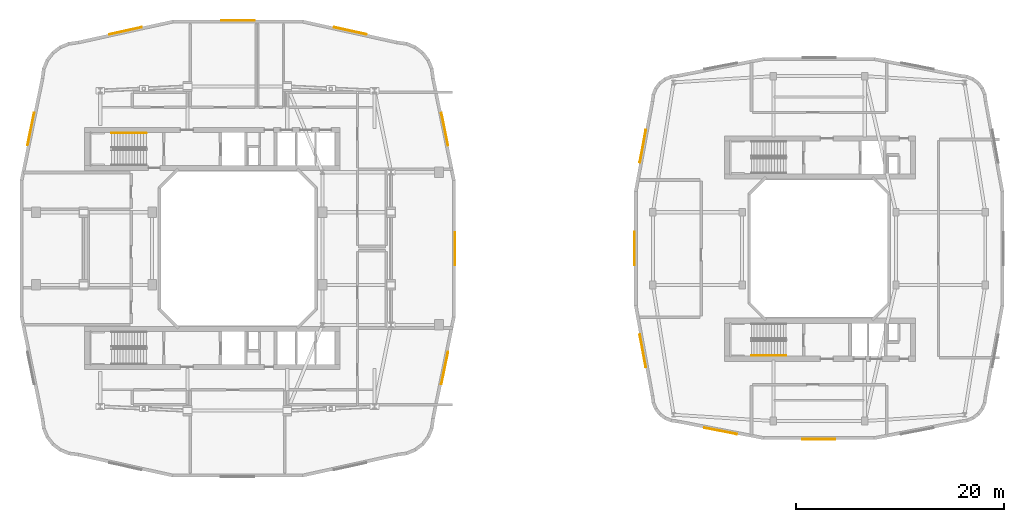
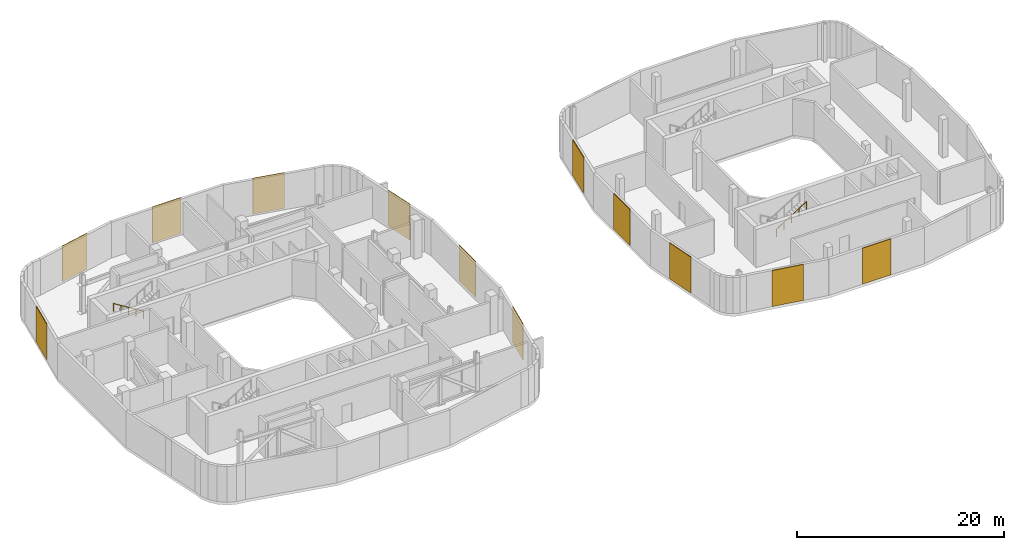
# One storey, part 16 of 18: 12 coverings, 2 railings.
"""IFC4 building model written with IfcOpenShell, lengths in metres."""

from ifc_helpers import new_model, si_unit, derived_unit, direction, frame, origin, origin_2d, place, context, subcontext, project, spatial, rectangle, circle, extrude, material, layer, layer_set, type_object, element, save


model = new_model("IFC4")

# Units and contexts
model_context = context("Model", 3, precision=1e-05, world=origin(), true_north=direction((0.0, 1.0)))
body_context = subcontext(model_context, "Body", "Model", "MODEL_VIEW")
ifc_project = project(units=[si_unit("LENGTHUNIT", "METRE"), si_unit("AREAUNIT", "SQUARE_METRE"), si_unit("VOLUMEUNIT", "CUBIC_METRE"), si_unit("PLANEANGLEUNIT", "RADIAN"), si_unit("MASSUNIT", "GRAM", prefix="KILO"), derived_unit("THERMALTRANSMITTANCEUNIT", [(si_unit("POWERUNIT", "WATT"), 1), (si_unit("LENGTHUNIT", "METRE"), -2), (si_unit("THERMODYNAMICTEMPERATUREUNIT", "KELVIN"), -1)])], contexts=[model_context])

# Site, building, storey
site_placement = place(None, origin())
site = spatial("IfcSite", under=ifc_project, at=site_placement, CompositionType="ELEMENT")
building_placement = place(site_placement, origin())
building = spatial("IfcBuilding", under=site, at=building_placement, Name="Kivonza Crest Hotel", CompositionType="ELEMENT")
storey_placement = place(building_placement, frame((0.0, 0.0, 90.5)))
storey = spatial("IfcBuildingStorey", under=building, at=storey_placement, Name="L24", CompositionType="ELEMENT", Elevation=90.5)

# Coverings
ifc_material_1 = material(Name="Anodised bronze aluminium acoustic louvre cladding", Category="aluminium")
ifc_layer = layer(ifc_material_1, 0.080078125)
ifc_layer_set = layer_set([ifc_layer], Name="Anodised bronze aluminium acoustic louvre cladding")
covering_type = type_object("IfcCoveringType", Name="CV-CLAD-80", PredefinedType="CLADDING", material=ifc_layer_set)
for number, where, z_axis, x_axis, name in (
    (1, (40.958984375, 13.4990234375, 0.0), (0.0, 0.0, 1.0), (0.19988099444, 0.979820181493, 0.0), "L24 T1 terracotta baguette and louvre screen 16"),
    (2, (41.9599609375, 24.98291015625, 0.0), (0.0, 0.0, 1.0), (0.0, 1.0, 0.0), "L24 T1 terracotta baguette and louvre screen 17"),
    (3, (40.9619140625, 36.48388671875, 0.0), (0.0, 0.0, 1.0), (-0.19988099444, 0.979820181493, 0.0), "L24 T1 terracotta baguette and louvre screen 18"),
    (4, (31.864013671875, 45.958984375, 0.0), (0.0, 0.0, 1.0), (-0.976559709305, 0.215246682117, 0.0), "L24 T1 terracotta baguette and louvre screen 25"),
    (5, (21.05810546875, 46.9599609375, 0.0), (0.0, 0.0, 1.0), (-1.0, 0.0, 0.0), "L24 T1 terracotta baguette and louvre screen 26"),
    (6, (10.23291015625, 45.9619140625, 0.0), (0.0, 0.0, 1.0), (-0.976559709305, -0.215246682117, 0.0), "L24 T1 terracotta baguette and louvre screen 27"),
    (7, (1.12109375, 36.5009765625, 0.0), (0.0, 0.0, 1.0), (-0.19988099444, -0.979820181493, 0.0), "L24 T1 terracotta baguette and louvre screen 34"),
):
    element("IfcCovering", number, at=place(storey_placement, frame(where, z_axis=z_axis, x_axis=x_axis)), inside=storey, type_object=covering_type, Name=name, PredefinedType="CLADDING", context=body_context, shape_type="SweptSolid", body=[
        extrude(rectangle(XDim=3.199951171875, YDim=0.080078125, at=origin_2d()), origin(), (0.0, 0.0, 1.0), 4.219970703125),
    ])
for number, where, z_axis, x_axis, name in (
    (8, (67.529052734375, 7.44091796875, 0.0), (0.0, 0.0, 1.0), (0.981760154029, -0.190123643878, 0.0), "L24 T2 terracotta baguette and louvre screen 7"),
    (9, (76.98291015625, 6.639892578125, 0.0), (0.0, 0.0, 1.0), (1.0, 0.0, 0.0), "L24 T2 terracotta baguette and louvre screen 8"),
    (10, (60.041015625, 34.862060546875, 0.0), (0.0, 0.0, 1.0), (-0.181205763627, -0.983445204995, 0.0), "L24 T2 terracotta baguette and louvre screen 34"),
    (11, (59.239990234375, 25.01708984375, 0.0), (0.0, 0.0, 1.0), (0.0, -1.0, 0.0), "L24 T2 terracotta baguette and louvre screen 35"),
    (12, (60.037109375, 15.156005859375, 0.0), (0.0, 0.0, 1.0), (0.181205763627, -0.983445204995, 0.0), "L24 T2 terracotta baguette and louvre screen 36"),
):
    element("IfcCovering", number, at=place(storey_placement, frame(where, z_axis=z_axis, x_axis=x_axis)), inside=storey, type_object=covering_type, Name=name, PredefinedType="CLADDING", context=body_context, shape_type="SweptSolid", body=[
        extrude(rectangle(XDim=3.199951171875, YDim=0.080078125, at=origin_2d()), origin(), (0.0, 0.0, 1.0), 4.25),
    ])

# Railings
ifc_material_2 = material(Name="Brushed stainless steel handrail", Category="steel")
railing_type = type_object("IfcRailingType", Name="RL-HAND-900", PredefinedType="HANDRAIL", material=ifc_material_2)
railing_1_placement = place(storey_placement, frame((12.239990234375, 36.110107421875, 0.173095703125)))
element("IfcRailing", 13, at=railing_1_placement, inside=storey, type_object=railing_type, Name="L24 ST-T1-N stair handrail 1", PredefinedType="HANDRAIL", context=body_context, shape_type="SweptSolid", body=[
    extrude(circle(Radius=0.02392578125, at=origin_2d()), frame((0.0, 0.0, 0.8759765625), z_axis=(-0.850623216509, 0.0, 0.525775754039), x_axis=(0.0, -1.0, 0.0)), (0.0, 0.0, 1.0), 3.9501953125),
    extrude(circle(Radius=0.02099609375, at=origin_2d()), origin(), (0.0, 0.0, 1.0), 0.851806640625),
    extrude(circle(Radius=0.02099609375, at=origin_2d()), frame((-0.840087890625, 0.0, 0.519287109375)), (0.0, 0.0, 1.0), 0.851806640625),
    extrude(circle(Radius=0.02099609375, at=origin_2d()), frame((-1.68017578125, 0.0, 1.03857421875)), (0.0, 0.0, 1.0), 0.851806640625),
    extrude(circle(Radius=0.02099609375, at=origin_2d()), frame((-2.52001953125, 0.0, 1.5576171875)), (0.0, 0.0, 1.0), 0.851806640625),
    extrude(circle(Radius=0.02099609375, at=origin_2d()), frame((-3.360107421875, 0.0, 2.076904296875)), (0.0, 0.0, 1.0), 0.851806640625),
])
railing_2_placement = place(storey_placement, frame((70.47998046875, 14.7099609375, 2.423095703125)))
element("IfcRailing", 14, at=railing_2_placement, inside=storey, type_object=railing_type, Name="L24 ST-T2-S stair handrail 2", PredefinedType="HANDRAIL", context=body_context, shape_type="SweptSolid", body=[
    extrude(circle(Radius=0.02392578125, at=origin_2d()), frame((0.0, 0.0, 0.8759765625), z_axis=(0.850623216509, 0.0, 0.525775754039), x_axis=(0.0, 1.0, 0.0)), (0.0, 0.0, 1.0), 3.9501953125),
    extrude(circle(Radius=0.02099609375, at=origin_2d()), origin(), (0.0, 0.0, 1.0), 0.851806640625),
    extrude(circle(Radius=0.02099609375, at=origin_2d()), frame((0.840087890625, 0.0, 0.519287109375)), (0.0, 0.0, 1.0), 0.851806640625),
    extrude(circle(Radius=0.02099609375, at=origin_2d()), frame((1.68017578125, 0.0, 1.03857421875)), (0.0, 0.0, 1.0), 0.851806640625),
    extrude(circle(Radius=0.02099609375, at=origin_2d()), frame((2.52001953125, 0.0, 1.5576171875)), (0.0, 0.0, 1.0), 0.851806640625),
    extrude(circle(Radius=0.02099609375, at=origin_2d()), frame((3.360107421875, 0.0, 2.076904296875)), (0.0, 0.0, 1.0), 0.851806640625),
])

save(model, "model.ifc")
